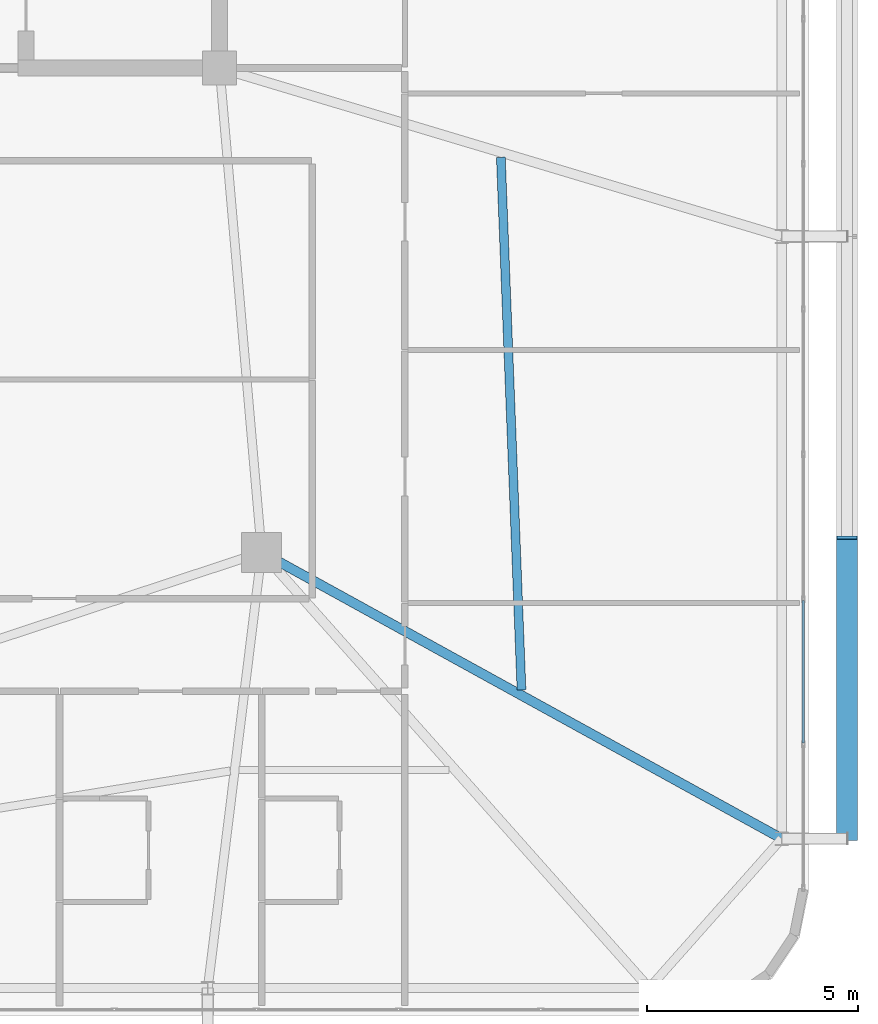
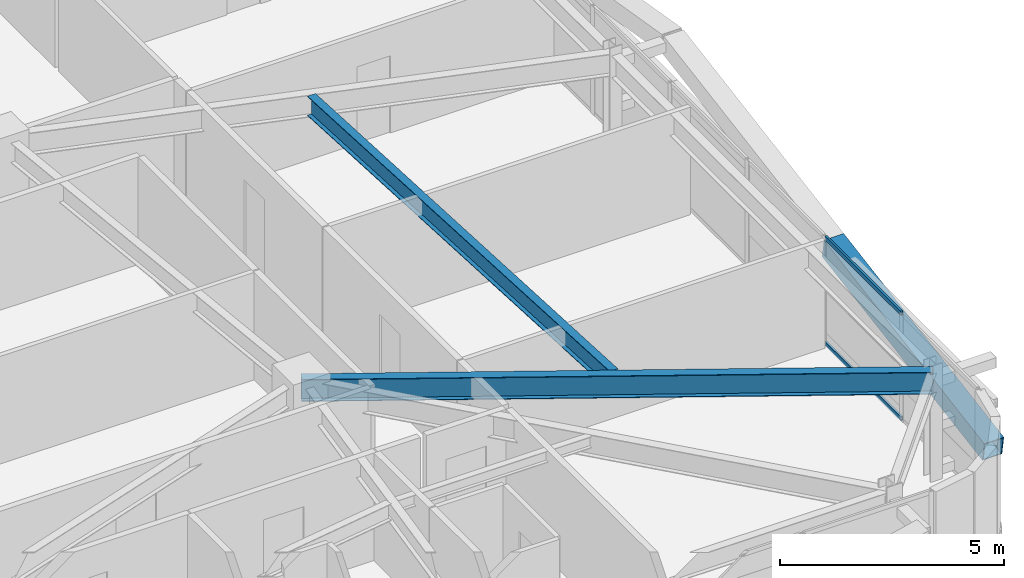
# One storey, part 25 of 59: 3 members, 2 beams, 1 element without a shape of its own.
"""IFC4 building model written with IfcOpenShell, lengths in metres."""

from ifc_helpers import new_model, si_unit, direction, frame, origin, origin_2d, place, context, subcontext, project, spatial, hollow_rectangle, i_section, extrude, source, transform, mapped, material, layer, layer_set, material_profile, profile_set, type_object, element, aggregate, save


model = new_model("IFC4")

# Units and contexts
model_context = context("Model", 3, precision=1e-05, world=origin(), true_north=direction((0.0, 1.0)))
body_context = subcontext(model_context, "Body", "Model", "MODEL_VIEW")
ifc_project = project(units=[si_unit("LENGTHUNIT", "METRE"), si_unit("AREAUNIT", "SQUARE_METRE"), si_unit("VOLUMEUNIT", "CUBIC_METRE"), si_unit("PLANEANGLEUNIT", "RADIAN"), si_unit("MASSUNIT", "GRAM", prefix="KILO")], contexts=[model_context])

# Site, building, storey
site_placement = place(None, origin())
site = spatial("IfcSite", under=ifc_project, at=site_placement, CompositionType="ELEMENT")
building_placement = place(site_placement, origin())
building = spatial("IfcBuilding", under=site, at=building_placement, Name="Taldren Reach Tower", CompositionType="ELEMENT")
storey_placement = place(building_placement, frame((0.0, 0.0, 29.39990234375)))
storey = spatial("IfcBuildingStorey", under=building, at=storey_placement, Name="L08", CompositionType="ELEMENT", Elevation=29.39990234375)

# Beams
ifc_material_1 = material(Name="Steel Gr 350 (350PLUS)", Category="steel")
ifc_material_profile_1 = material_profile(ifc_material_1, i_section(OverallWidth=0.22802734375, OverallDepth=0.60205078125, WebThickness=0.010498046875, FlangeThickness=0.014892578125, at=origin_2d()), Name="610UB101")
ifc_profile_set_1 = profile_set([ifc_material_profile_1], Name="Steel Gr 350 (350PLUS)")
beam_type_1 = type_object("IfcBeamType", Name="BM-UB610B", PredefinedType="BEAM", material=ifc_profile_set_1)
shared_shape_1 = source(origin(), body_context, "Body", "SweptSolid", [
    extrude(i_section(OverallWidth=0.22802734375, OverallDepth=0.60205078125, WebThickness=0.010498046875, FlangeThickness=0.014892578125, at=origin_2d()), origin(), (0.0, 0.0, 1.0), 14.098388671875),
])
beam_1_placement = place(storey_placement, frame((52.0, 12.5, 2.629150390625), z_axis=(0.875991325783, -0.482326857175, 0.0), x_axis=(0.482326857175, 0.875991325783, 0.0)))
element("IfcBeam", 1, at=beam_1_placement, inside=storey, type_object=beam_type_1, Name="Primary floor girder B1-E1 L08", PredefinedType="BEAM", context=body_context, shape_type="MappedRepresentation", body=[
    mapped(shared_shape_1, transform((0.0, 0.0, 0.0), scale=1.0)),
])
ifc_material_profile_2 = material_profile(ifc_material_1, i_section(OverallWidth=0.208984375, OverallDepth=0.532958984375, WebThickness=0.01025390625, FlangeThickness=0.015625, at=origin_2d()), Name="530UB92.4")
ifc_profile_set_2 = profile_set([ifc_material_profile_2], Name="Steel Gr 350 (350PLUS)")
beam_type_2 = type_object("IfcBeamType", Name="BM-UB530A", PredefinedType="BEAM", material=ifc_profile_set_2)
shared_shape_2 = source(origin(), body_context, "Body", "SweptSolid", [
    extrude(i_section(OverallWidth=0.208984375, OverallDepth=0.532958984375, WebThickness=0.01025390625, FlangeThickness=0.015625, at=origin_2d()), origin(), (0.0, 0.0, 1.0), 12.65625),
])
beam_2_placement = place(storey_placement, frame((58.169921875, 9.23291015625, 2.66357421875), z_axis=(-0.0387346395, 0.99924953225, 0.0), x_axis=(-0.99924953225, -0.0387346395, 0.0)))
element("IfcBeam", 2, at=beam_2_placement, inside=storey, type_object=beam_type_2, Name="Secondary floor beam B1 J7 L08", PredefinedType="BEAM", context=body_context, shape_type="MappedRepresentation", body=[
    mapped(shared_shape_2, transform((0.0, 0.0, 0.0), scale=1.0)),
])

# Member
ifc_material_2 = material(Name="Steel Gr 450 (C450L0)", Category="steel")
ifc_material_profile_3 = material_profile(ifc_material_2, hollow_rectangle(XDim=0.510009765625, YDim=0.510009765625, WallThickness=0.02001953125, at=origin_2d()), Name="510x510x20.0SHS")
ifc_profile_set_3 = profile_set([ifc_material_profile_3], Name="Steel Gr 450 (C450L0)")
member_type_1 = type_object("IfcMemberType", Name="MB-EXO508", PredefinedType="BRACE", material=ifc_profile_set_3)
shared_shape_3 = source(origin(), body_context, "Body", "SweptSolid", [
    extrude(hollow_rectangle(XDim=0.510009765625, YDim=0.510009765625, WallThickness=0.02001953125, at=origin_2d()), origin(), (0.0, 0.0, 1.0), 7.252685546875),
])
member_1_placement = place(storey_placement, frame((65.89990234375, 5.699951171875, 0.22021484375), z_axis=(0.0, 0.985871360071, 0.167504213054), x_axis=(-1.0, 0.0, 0.0)))
element("IfcMember", 3, at=member_1_placement, inside=storey, type_object=member_type_1, Name="Exoskeleton Diagrid Brace B1-E1 L08", PredefinedType="BRACE", context=body_context, shape_type="MappedRepresentation", body=[
    mapped(shared_shape_3, transform((0.0, 0.0, 0.0), scale=1.0)),
])

# Curtain wall, members
ifc_material_3 = material(Name="Aluminium and Low-E Glass Unitised System", Category="aluminium")
ifc_layer = layer(ifc_material_3, 0.159912109375)
ifc_layer_set = layer_set([ifc_layer], Name="Aluminium and Low-E Glass Unitised System")
curtain_wall_type = type_object("IfcCurtainWallType", Name="CW-SYS-2", PredefinedType="NOTDEFINED", material=ifc_layer_set)
curtain_wall_placement = place(storey_placement, origin())
curtain_wall = element("IfcCurtainWall", 4, at=curtain_wall_placement, inside=storey, type_object=curtain_wall_type, Name="Unitised curtain wall CW-L08-E", PredefinedType="NOTDEFINED")
ifc_material_4 = material(Name="Anodised Aluminium 6063-T6", Category="aluminium")
ifc_material_profile_4 = material_profile(ifc_material_4, hollow_rectangle(XDim=0.054931640625, YDim=0.1201171875, WallThickness=0.0029296875, at=origin_2d()), Name="ALU-120x55x3RHS")
ifc_profile_set_4 = profile_set([ifc_material_profile_4], Name="Anodised Aluminium 6063-T6")
member_type_2 = type_object("IfcMemberType", Name="CW-TRN-135", PredefinedType="USERDEFINED", material=ifc_profile_set_4)
shared_shape_4 = source(origin(), body_context, "Body", "SweptSolid", [
    extrude(hollow_rectangle(XDim=0.054931640625, YDim=0.1201171875, WallThickness=0.0029296875, at=origin_2d()), origin(), (0.0, 0.0, 1.0), 3.37939453125),
])
member_2_placement = place(storey_placement, frame((64.860107421875, 7.97705078125, 0.027587890625), z_axis=(0.0, 1.0, 0.0), x_axis=(-1.0, 0.0, 0.0)))
member_2 = element("IfcMember", 5, at=member_2_placement, type_object=member_type_2, Name="CW-2 transom 2.1", ObjectType="TRANSOM", PredefinedType="USERDEFINED", context=body_context, shape_type="MappedRepresentation", body=[
    mapped(shared_shape_4, transform((0.0, 0.0, 0.0), scale=1.0)),
])
member_3_placement = place(storey_placement, frame((64.860107421875, 7.97705078125, 2.902587890625), z_axis=(0.0, 1.0, 0.0), x_axis=(-1.0, 0.0, 0.0)))
member_3 = element("IfcMember", 6, at=member_3_placement, type_object=member_type_2, Name="CW-2 transom 2.2", ObjectType="TRANSOM", PredefinedType="USERDEFINED", context=body_context, shape_type="MappedRepresentation", body=[
    mapped(shared_shape_4, transform((0.0, 0.0, 0.0), scale=1.0)),
])
aggregate(curtain_wall, [member_2, member_3])

save(model, "model.ifc")
